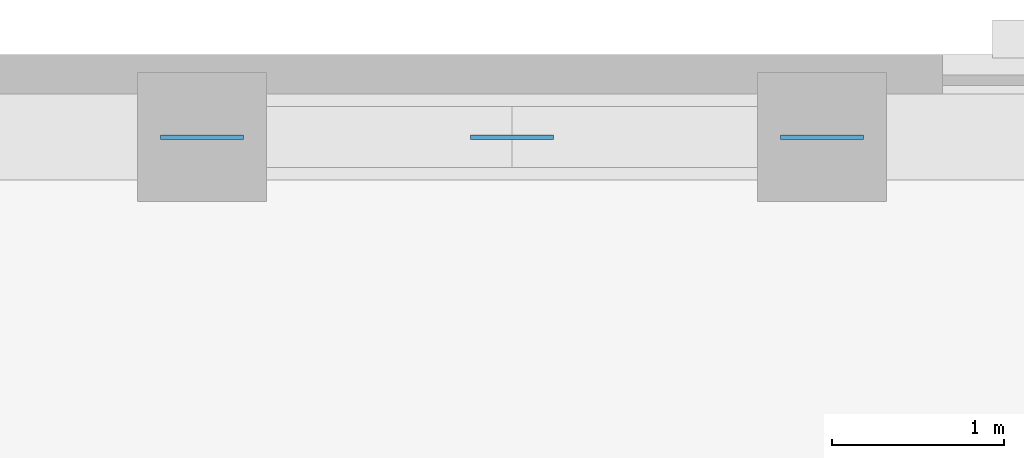
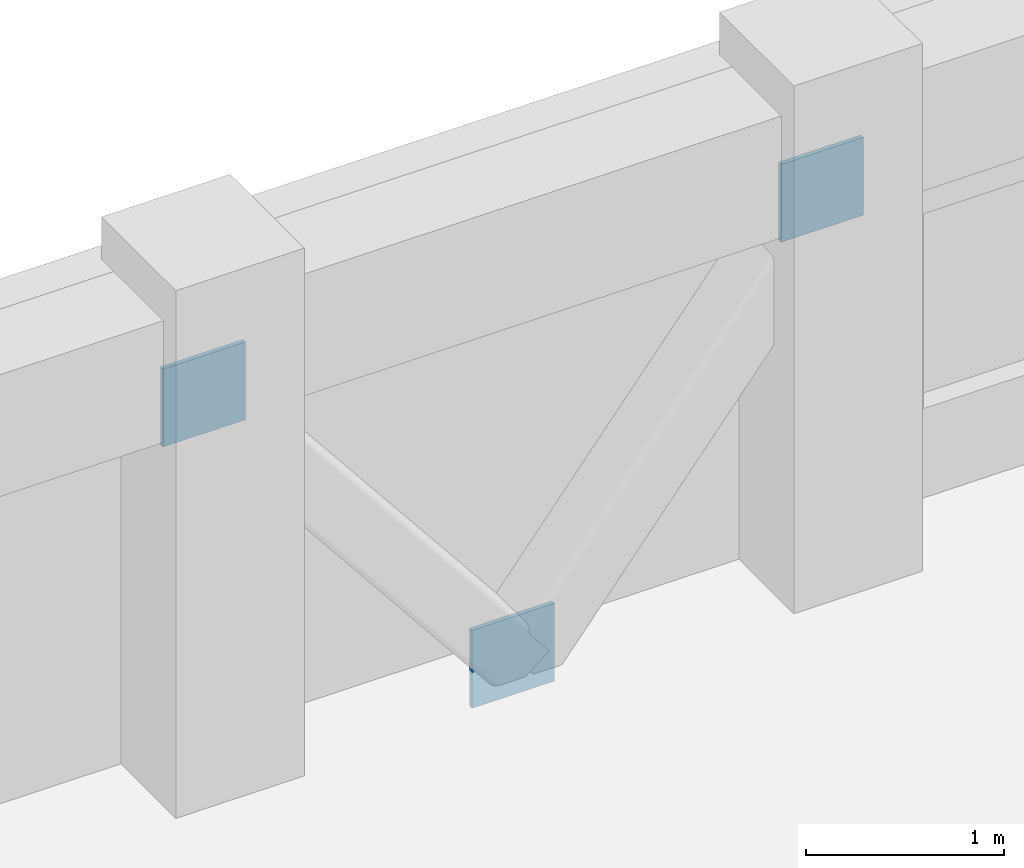
# One storey, part 12 of 15: 3 discrete accessories.
"""IFC4 building model written with IfcOpenShell, lengths in metres."""

from ifc_helpers import new_model, si_unit, derived_unit, direction, frame, origin, origin_2d, place, context, subcontext, project, spatial, rectangle, extrude, material, layer, layer_set, type_object, element, save


model = new_model("IFC4")

# Units and contexts
model_context = context("Model", 3, precision=1e-05, world=origin(), true_north=direction((0.0, 1.0)))
body_context = subcontext(model_context, "Body", "Model", "MODEL_VIEW")
ifc_project = project(units=[si_unit("LENGTHUNIT", "METRE"), si_unit("AREAUNIT", "SQUARE_METRE"), si_unit("VOLUMEUNIT", "CUBIC_METRE"), si_unit("PLANEANGLEUNIT", "RADIAN"), si_unit("MASSUNIT", "GRAM", prefix="KILO"), derived_unit("THERMALTRANSMITTANCEUNIT", [(si_unit("MASSUNIT", "GRAM", prefix="KILO"), 1), (si_unit("TIMEUNIT", "SECOND"), -3), (si_unit("THERMODYNAMICTEMPERATUREUNIT", "KELVIN"), -1)])], contexts=[model_context])

# Site, building, storey
site_placement = place(None, origin())
site = spatial("IfcSite", under=ifc_project, at=site_placement, CompositionType="ELEMENT")
building_placement = place(site_placement, origin())
building = spatial("IfcBuilding", under=site, at=building_placement, Name="Korrvale Station Residences", CompositionType="ELEMENT")
storey_placement = place(building_placement, frame((0.0, 0.0, 124.39990234375)))
storey = spatial("IfcBuildingStorey", under=building, at=storey_placement, Name="L35", CompositionType="ELEMENT", Elevation=124.39990234375)

# Discrete accessories
ifc_material = material(Name="Steel S355", Category="steel")
ifc_layer = layer(ifc_material, 0.02490234375, Name="Steel S355")
ifc_layer_set = layer_set([ifc_layer], Name="Steel S355")
discrete_accessory_type = type_object("IfcDiscreteAccessoryType", Name="ACC-GUSSET-25", PredefinedType="BRACKET", material=ifc_layer_set)
for number, where, z_axis, x_axis, name in (
    (1, (25.0, 42.820068359375, -0.219970703125), (0.0, 0.0, 1.0), (1.0, 0.0, 0.0), "L35 N Brace End Gusset Connection M"),
    (2, (23.199951171875, 42.820068359375, 2.02001953125), (0.0, 0.0, 1.0), (1.0, 0.0, 0.0), "L35 N Brace End Gusset Connection A"),
    (3, (26.800048828125, 42.820068359375, 2.02001953125), (0.0, 0.0, 1.0), (1.0, 0.0, 0.0), "L35 N Brace End Gusset Connection B"),
):
    element("IfcDiscreteAccessory", number, at=place(storey_placement, frame(where, z_axis=z_axis, x_axis=x_axis)), inside=storey, type_object=discrete_accessory_type, Name=name, PredefinedType="BRACKET", context=body_context, shape_type="SweptSolid", body=[
        extrude(rectangle(XDim=0.47998046875, YDim=0.02490234375, at=origin_2d()), origin(), (0.0, 0.0, 1.0), 0.47998046875),
    ])

save(model, "model.ifc")
